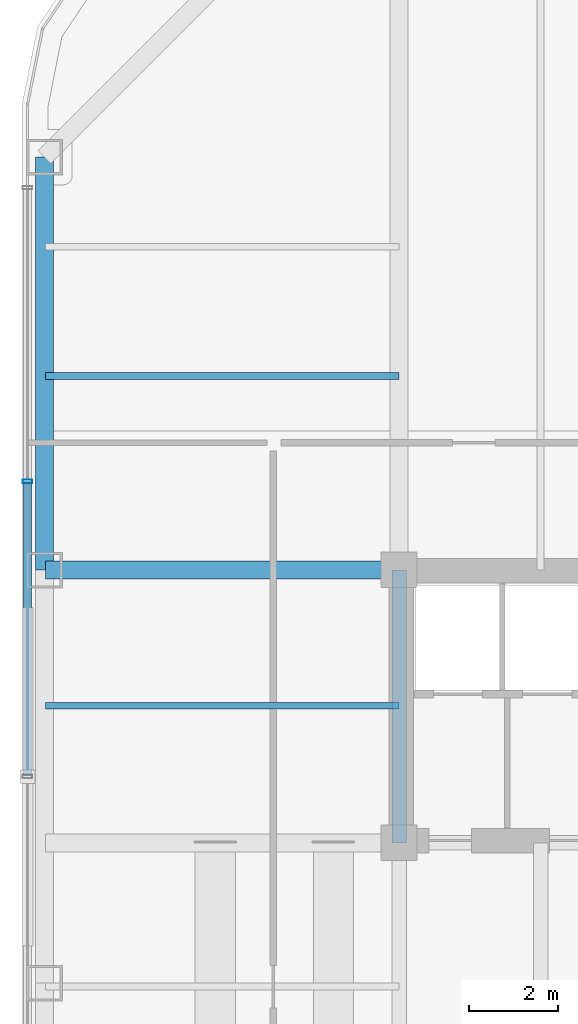
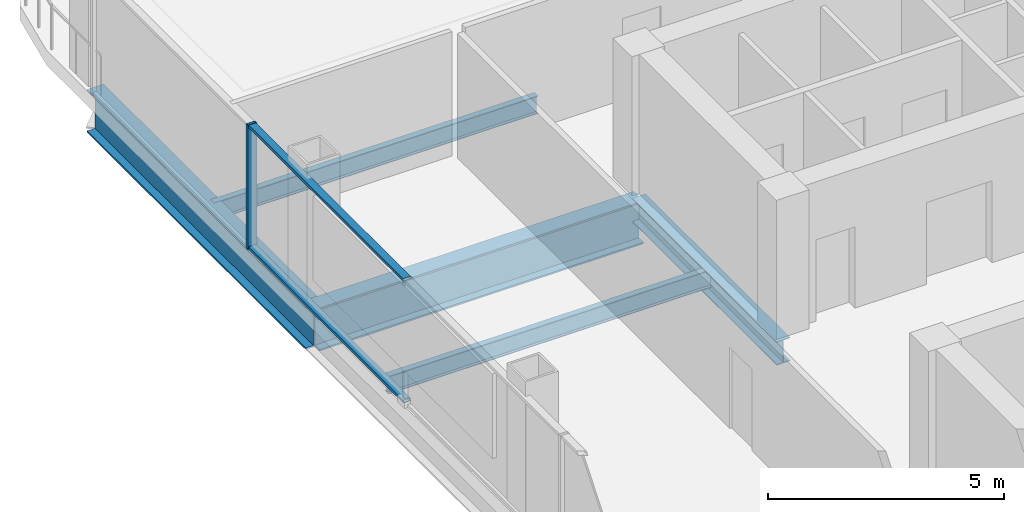
# One storey, part 5 of 20: 5 beams, 3 members, 1 element without a shape of its own.
"""IFC4 building model written with IfcOpenShell, lengths in metres."""

from ifc_helpers import new_model, si_unit, direction, frame, origin, origin_2d, place, context, subcontext, project, spatial, hollow_rectangle, i_section, extrude, material, layer, layer_set, material_profile, profile_set, type_object, element, aggregate, save


model = new_model("IFC4")

# Units and contexts
model_context = context("Model", 3, precision=1e-05, world=origin(), true_north=direction((0.0, 1.0)))
body_context = subcontext(model_context, "Body", "Model", "MODEL_VIEW")
ifc_project = project(units=[si_unit("LENGTHUNIT", "METRE"), si_unit("AREAUNIT", "SQUARE_METRE"), si_unit("VOLUMEUNIT", "CUBIC_METRE"), si_unit("PLANEANGLEUNIT", "RADIAN"), si_unit("MASSUNIT", "GRAM", prefix="KILO")], contexts=[model_context])

# Site, building, storey
site_placement = place(None, origin())
site = spatial("IfcSite", under=ifc_project, at=site_placement, CompositionType="ELEMENT")
building_placement = place(site_placement, origin())
building = spatial("IfcBuilding", under=site, at=building_placement, Name="Qhalaya Broadcast Tower", CompositionType="ELEMENT")
storey_placement = place(building_placement, frame((0.0, 0.0, 104.85009765625)))
storey = spatial("IfcBuildingStorey", under=building, at=storey_placement, Name="L30", CompositionType="ELEMENT", Elevation=104.85009765625)

# Beams
ifc_material_1 = material(Name="Structural Steel ASTM A992 Grade 50", Category="steel")
ifc_material_profile_1 = material_profile(ifc_material_1, i_section(OverallWidth=0.154052734375, OverallDepth=0.458984375, WebThickness=0.009033203125, FlangeThickness=0.015380859375, at=origin_2d()), Name="W18X46")
ifc_profile_set_1 = profile_set([ifc_material_profile_1], Name="Structural Steel ASTM A992 Grade 50")
beam_type_1 = type_object("IfcBeamType", Name="Composite Floor Joist J04", PredefinedType="JOIST", material=ifc_profile_set_1)
for number, where, z_axis, x_axis, name in (
    (1, (-17.31005859375, 6.89990234375, -0.609619140625), (1.0, 0.0, 0.0), (0.0, 1.0, 0.0), "L30 J04 L30-JWE5W-1"),
    (2, (-17.31005859375, 14.300048828125, -0.609619140625), (1.0, 0.0, 0.0), (0.0, 1.0, 0.0), "L30 J04 L30-JWE6W-1"),
):
    element("IfcBeam", number, at=place(storey_placement, frame(where, z_axis=z_axis, x_axis=x_axis)), inside=storey, type_object=beam_type_1, Name=name, PredefinedType="JOIST", context=body_context, shape_type="SweptSolid", body=[
        extrude(i_section(OverallWidth=0.154052734375, OverallDepth=0.458984375, WebThickness=0.009033203125, FlangeThickness=0.015380859375, at=origin_2d()), origin(), (0.0, 0.0, 1.0), 7.93505859375),
    ])
ifc_material_profile_2 = material_profile(ifc_material_1, i_section(OverallWidth=0.323974609375, OverallDepth=0.612060546875, WebThickness=0.0126953125, FlangeThickness=0.01904296875, at=origin_2d()), Name="W24X104")
ifc_profile_set_2 = profile_set([ifc_material_profile_2], Name="Structural Steel ASTM A992 Grade 50")
beam_type_2 = type_object("IfcBeamType", Name="Core Frame Tie Beam B04", PredefinedType="BEAM", material=ifc_profile_set_2)
beam_1_placement = place(storey_placement, frame((-9.375, 3.824951171875, -0.68603515625), z_axis=(0.0, 1.0, 0.0), x_axis=(-1.0, 0.0, 0.0)))
element("IfcBeam", 3, at=beam_1_placement, inside=storey, type_object=beam_type_2, Name="L30 B04 L30-CCN2", PredefinedType="BEAM", context=body_context, shape_type="SweptSolid", body=[
    extrude(i_section(OverallWidth=0.323974609375, OverallDepth=0.612060546875, WebThickness=0.0126953125, FlangeThickness=0.01904296875, at=origin_2d()), origin(), (0.0, 0.0, 1.0), 6.125),
])
ifc_material_profile_3 = material_profile(ifc_material_1, i_section(OverallWidth=0.404052734375, OverallDepth=1.117919921875, WebThickness=0.026123046875, FlangeThickness=0.044921875, at=origin_2d()), Name="W44X335")
ifc_profile_set_3 = profile_set([ifc_material_profile_3], Name="Structural Steel ASTM A992 Grade 50")
beam_type_3 = type_object("IfcBeamType", Name="Podium Long-Span Primary Girder PG1", PredefinedType="USERDEFINED", material=ifc_profile_set_3)
beam_2_placement = place(storey_placement, frame((-17.330078125, 19.2099609375, -0.939208984375), z_axis=(0.0, -1.0, 0.0), x_axis=(1.0, 0.0, 0.0)))
element("IfcBeam", 4, at=beam_2_placement, inside=storey, type_object=beam_type_3, Name="L30 PG1 L30-SPR-13", ObjectType="GIRDER", PredefinedType="USERDEFINED", context=body_context, shape_type="SweptSolid", body=[
    extrude(i_section(OverallWidth=0.404052734375, OverallDepth=1.117919921875, WebThickness=0.026123046875, FlangeThickness=0.044921875, at=origin_2d()), origin(), (0.0, 0.0, 1.0), 9.2666015625),
])
beam_3_placement = place(storey_placement, frame((-17.31005859375, 9.949951171875, -0.939208984375), z_axis=(1.0, 0.0, 0.0), x_axis=(0.0, 1.0, 0.0)))
element("IfcBeam", 5, at=beam_3_placement, inside=storey, type_object=beam_type_3, Name="L30 PG1 L30-PGYW4-1", ObjectType="GIRDER", PredefinedType="USERDEFINED", context=body_context, shape_type="SweptSolid", body=[
    extrude(i_section(OverallWidth=0.404052734375, OverallDepth=1.117919921875, WebThickness=0.026123046875, FlangeThickness=0.044921875, at=origin_2d()), origin(), (0.0, 0.0, 1.0), 7.93505859375),
])

# Curtain wall, members
ifc_material_2 = material(Name="Solar-Control Low-E Triple Glazing", Category="glass")
ifc_layer = layer(ifc_material_2, 0.219970703125, Name="Solar-Control Low-E Triple Glazing")
ifc_layer_set = layer_set([ifc_layer], Name="Solar-Control Low-E Triple Glazing")
curtain_wall_type = type_object("IfcCurtainWallType", Name="Recessed Sky-Garden Neck Ribbon Curtain Wall CW-05", PredefinedType="NOTDEFINED", material=ifc_layer_set)
curtain_wall_placement = place(storey_placement, origin())
curtain_wall = element("IfcCurtainWall", 6, at=curtain_wall_placement, inside=storey, type_object=curtain_wall_type, Name="L30 Unitised Curtain Wall L30-CW-W", PredefinedType="NOTDEFINED")
ifc_material_3 = material(Name="Anodised Aluminium 6063-T6", Category="aluminium")
ifc_material_profile_4 = material_profile(ifc_material_3, hollow_rectangle(XDim=0.074951171875, YDim=0.219970703125, WallThickness=0.00390625, at=origin_2d()), Name="ALU-MUL 75x220x4")
ifc_profile_set_4 = profile_set([ifc_material_profile_4], Name="Anodised Aluminium 6063-T6")
member_type_1 = type_object("IfcMemberType", Name="Unitised Curtain-Wall Mullion M01", PredefinedType="MULLION", material=ifc_profile_set_4)
member_1_placement = place(storey_placement, frame((-17.7099609375, 11.93505859375, 0.0), z_axis=(0.0, 0.0, 1.0), x_axis=(0.0, -1.0, 0.0)))
member_1 = element("IfcMember", 7, at=member_1_placement, type_object=member_type_1, Name="CW-05 mullion 2", PredefinedType="MULLION", context=body_context, shape_type="SweptSolid", body=[
    extrude(hollow_rectangle(XDim=0.074951171875, YDim=0.219970703125, WallThickness=0.00390625, at=origin_2d()), origin(), (0.0, 0.0, 1.0), 3.219970703125),
])
ifc_material_profile_5 = material_profile(ifc_material_3, hollow_rectangle(XDim=0.074951171875, YDim=0.179931640625, WallThickness=0.00390625, at=origin_2d()), Name="ALU-TRN 75x180x4")
ifc_profile_set_5 = profile_set([ifc_material_profile_5], Name="Anodised Aluminium 6063-T6")
member_type_2 = type_object("IfcMemberType", Name="Unitised Curtain-Wall Transom T01", PredefinedType="USERDEFINED", material=ifc_profile_set_5)
member_2_placement = place(storey_placement, frame((-17.7099609375, 11.8974609375, 0.037353515625), z_axis=(0.0, -1.0, 0.0), x_axis=(0.0, 0.0, 1.0)))
member_2 = element("IfcMember", 8, at=member_2_placement, type_object=member_type_2, Name="CW-05 transom 2.1", ObjectType="TRANSOM", PredefinedType="USERDEFINED", context=body_context, shape_type="SweptSolid", body=[
    extrude(hollow_rectangle(XDim=0.074951171875, YDim=0.179931640625, WallThickness=0.00390625, at=origin_2d()), origin(), (0.0, 0.0, 1.0), 6.550048828125),
])
member_3_placement = place(storey_placement, frame((-17.7099609375, 11.8974609375, 3.182373046875), z_axis=(0.0, -1.0, 0.0), x_axis=(0.0, 0.0, 1.0)))
member_3 = element("IfcMember", 9, at=member_3_placement, type_object=member_type_2, Name="CW-05 transom 2.2", ObjectType="TRANSOM", PredefinedType="USERDEFINED", context=body_context, shape_type="SweptSolid", body=[
    extrude(hollow_rectangle(XDim=0.074951171875, YDim=0.179931640625, WallThickness=0.00390625, at=origin_2d()), origin(), (0.0, 0.0, 1.0), 6.550048828125),
])
aggregate(curtain_wall, [member_1, member_2, member_3])

save(model, "model.ifc")
